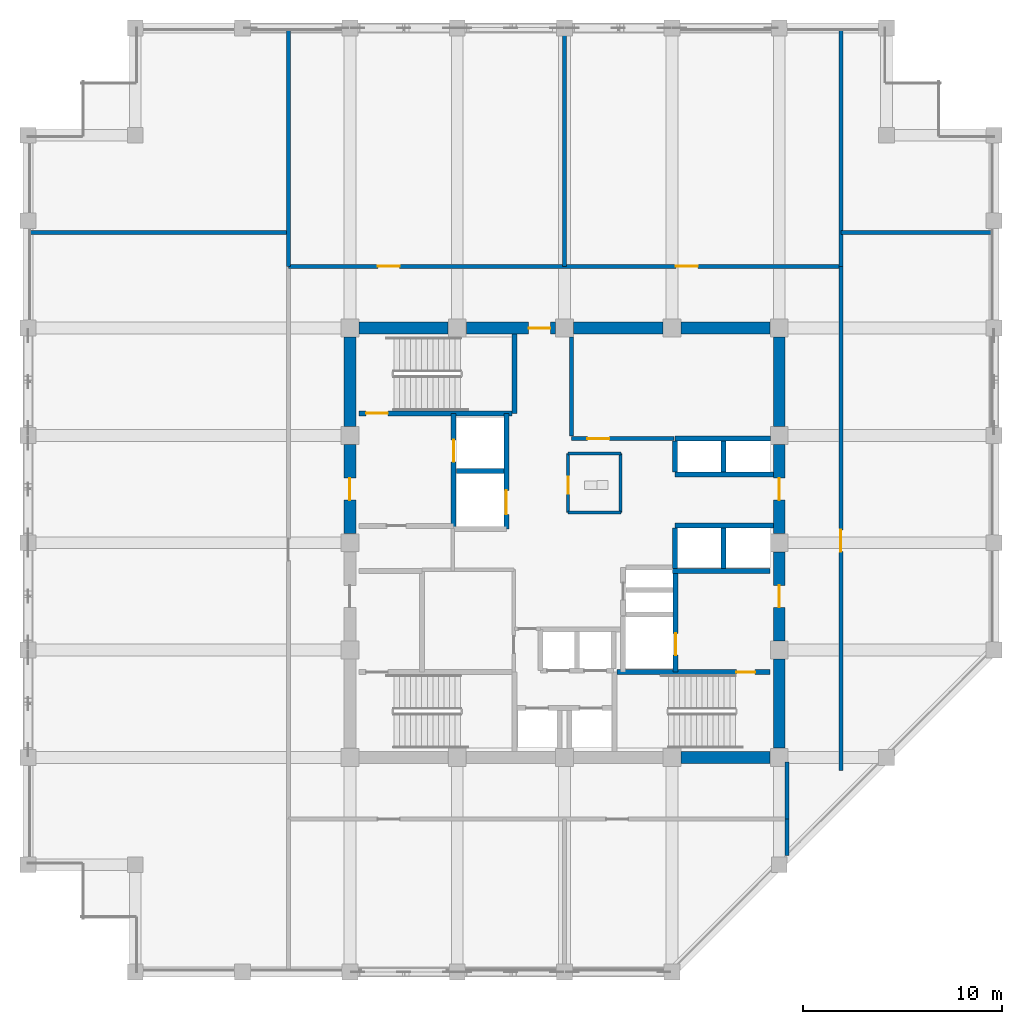
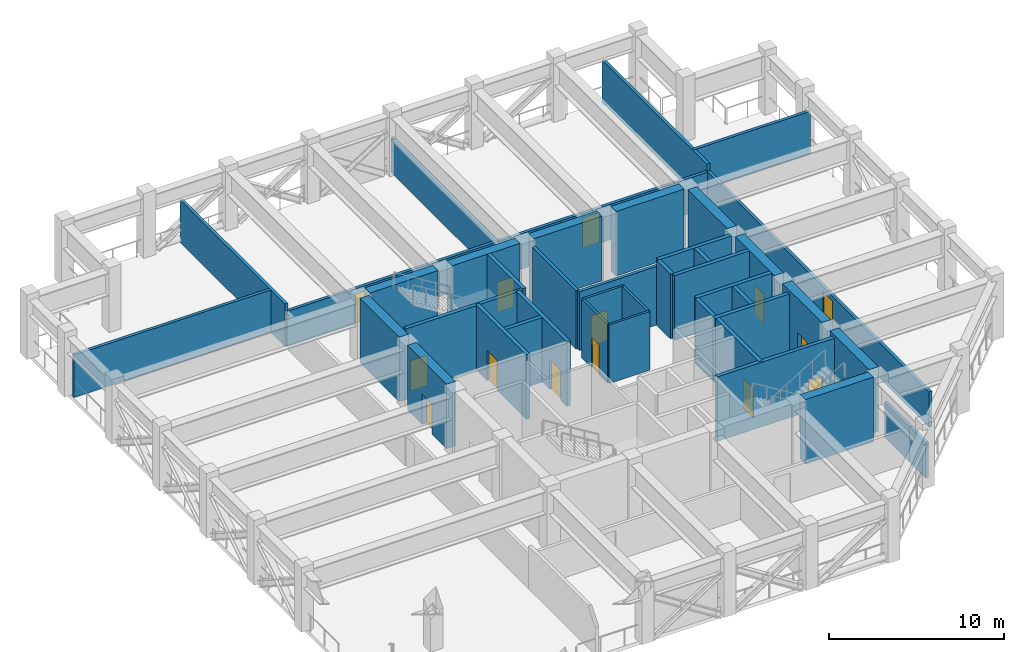
# One storey, part 5 of 11: 41 walls, 14 doors, 14 openings.
"""IFC4 building model written with IfcOpenShell, lengths in metres."""

from ifc_helpers import new_model, si_unit, direction, frame, frame_2d, origin, place, context, subcontext, project, spatial, rectangle, extrude, material, layer, layer_set, type_object, element, fill, save


model = new_model("IFC4")

# Units and contexts
model_context = context("Model", 3, precision=1e-05, world=origin(), true_north=direction((0.0, 1.0)))
body_context = subcontext(model_context, "Body", "Model", "MODEL_VIEW")
ifc_project = project(units=[si_unit("LENGTHUNIT", "METRE"), si_unit("AREAUNIT", "SQUARE_METRE"), si_unit("VOLUMEUNIT", "CUBIC_METRE"), si_unit("PLANEANGLEUNIT", "RADIAN"), si_unit("MASSUNIT", "GRAM", prefix="KILO")], contexts=[model_context])

# Site, building, storey
site_placement = place(None, origin())
site = spatial("IfcSite", under=ifc_project, at=site_placement, CompositionType="ELEMENT")
building_placement = place(site_placement, origin())
building = spatial("IfcBuilding", under=site, at=building_placement, Name="Surkhivell Harbour Commons", CompositionType="ELEMENT")
storey_placement = place(building_placement, frame((0.0, 0.0, 254.25)))
storey = spatial("IfcBuildingStorey", under=building, at=storey_placement, Name="L66", CompositionType="ELEMENT", Elevation=254.25)

# Walls
ifc_material_1 = material(Name="Concrete C60/75", Category="concrete")
ifc_layer_1 = layer(ifc_material_1, 0.60009765625)
ifc_layer_set_1 = layer_set([ifc_layer_1], Name="Concrete C60/75")
wall_type_1 = type_object("IfcWallType", Name="WAL-CORE-600", PredefinedType="SHEAR", material=ifc_layer_set_1)
for number, where, z_axis, x_axis, name in (
    (1, (-10.340087890625, 10.800048828125, 0.0), (0.0, 0.0, 1.0), (1.0, 0.0, 0.0), "L66 Core Shear Wall North 1"),
    (2, (10.800048828125, -10.340087890625, 0.0), (0.0, 0.0, 1.0), (0.0, 1.0, 0.0), "L66 Core Shear Wall East 1"),
):
    element("IfcWall", number, at=place(storey_placement, frame(where, z_axis=z_axis, x_axis=x_axis)), inside=storey, type_object=wall_type_1, Name=name, PredefinedType="SHEAR", context=body_context, shape_type="SweptSolid", body=[
        extrude(rectangle(XDim=4.47998046875, YDim=0.60009765625, at=frame_2d((2.239990234375, 0.0))), origin(), (0.0, 0.0, 1.0), 4.5),
    ])

# Wall, opening, door
wall_1_placement = place(storey_placement, frame((-4.93994140625, 10.800048828125, 0.0), z_axis=(0.0, 0.0, 1.0), x_axis=(1.0, 0.0, 0.0)))
wall_1 = element("IfcWall", 3, at=wall_1_placement, inside=storey, type_object=wall_type_1, Name="L66 Core Shear Wall North 2", PredefinedType="SHEAR", context=body_context, shape_type="SweptSolid", body=[
    extrude(rectangle(XDim=4.47998046875, YDim=0.60009765625, at=frame_2d((2.239990234375, 0.0))), origin(), (0.0, 0.0, 1.0), 4.5),
])
opening_1_placement = place(wall_1_placement, frame((3.1298828125, 0.0, 0.0)))
opening_1 = element("IfcOpeningElement", 4, at=opening_1_placement, cuts=wall_1, Name="Opening ID-2", PredefinedType="OPENING", context=body_context, shape_type="SweptSolid", body=[
    extrude(rectangle(XDim=1.10009765625, YDim=2.10009765625, at=frame_2d((0.550048828125, 1.050048828125))), frame((0.0, 0.31005859375, 0.0), z_axis=(0.0, -1.0, 0.0), x_axis=(1.0, 0.0, 0.0)), (0.0, 0.0, 1.0), 0.6201171875),
])
ifc_material_2 = material(Name="Hardwood-veneered fire-rated door leaf", Category="wood")
door_type_1 = type_object("IfcDoorType", Name="DOR-FD60-1100", OperationType="NOTDEFINED", PredefinedType="DOOR", material=ifc_material_2)
door_1_placement = place(opening_1_placement, origin())
door_1 = element("IfcDoor", 5, at=door_1_placement, inside=storey, type_object=door_type_1, Name="L66 Central Core Lift Hall North Corridor Door", OperationType="SINGLE_SWING_LEFT", OverallHeight=2.10009765625, OverallWidth=1.10009765625, PredefinedType="DOOR", context=body_context, shape_type="SweptSolid", body=[
    extrude(rectangle(XDim=1.10009765625, YDim=2.10009765625, at=frame_2d((0.550048828125, 1.050048828125))), frame((0.0, 0.02490234375, 0.0), z_axis=(0.0, -1.0, 0.0), x_axis=(1.0, 0.0, 0.0)), (0.0, 0.0, 1.0), 0.050048828125),
])
fill(opening_1, door_1)

wall_2_placement = place(storey_placement, frame((10.800048828125, -4.93994140625, 0.0), z_axis=(0.0, 0.0, 1.0), x_axis=(0.0, 1.0, 0.0)))
wall_2 = element("IfcWall", 6, at=wall_2_placement, inside=storey, type_object=wall_type_1, Name="L66 Core Shear Wall East 2", PredefinedType="SHEAR", context=body_context, shape_type="SweptSolid", body=[
    extrude(rectangle(XDim=4.47998046875, YDim=0.60009765625, at=frame_2d((2.239990234375, 0.0))), origin(), (0.0, 0.0, 1.0), 4.5),
])
opening_2_placement = place(wall_2_placement, frame((1.68994140625, 0.0, 0.0)))
opening_2 = element("IfcOpeningElement", 7, at=opening_2_placement, cuts=wall_2, Name="Opening ID-1", PredefinedType="OPENING", context=body_context, shape_type="SweptSolid", body=[
    extrude(rectangle(XDim=1.10009765625, YDim=2.10009765625, at=frame_2d((0.550048828125, 1.050048828125))), frame((0.0, 0.31005859375, 0.0), z_axis=(0.0, -1.0, 0.0), x_axis=(1.0, 0.0, 0.0)), (0.0, 0.0, 1.0), 0.6201171875),
])
door_type_2 = type_object("IfcDoorType", Name="DOR-FD120-1100", OperationType="NOTDEFINED", PredefinedType="DOOR", material=ifc_material_2)
door_2_placement = place(opening_2_placement, origin())
door_2 = element("IfcDoor", 8, at=door_2_placement, inside=storey, type_object=door_type_2, Name="L66 Firefighting Lobby 2 Corridor Door", OperationType="SINGLE_SWING_RIGHT", OverallHeight=2.10009765625, OverallWidth=1.10009765625, PredefinedType="DOOR", context=body_context, shape_type="SweptSolid", body=[
    extrude(rectangle(XDim=1.10009765625, YDim=2.10009765625, at=frame_2d((0.550048828125, 1.050048828125))), frame((0.0, 0.02490234375, 0.0), z_axis=(0.0, -1.0, 0.0), x_axis=(1.0, 0.0, 0.0)), (0.0, 0.0, 1.0), 0.050048828125),
])
fill(opening_2, door_2)

# Wall
wall_3_placement = place(storey_placement, frame((0.4599609375, 10.800048828125, 0.0), z_axis=(0.0, 0.0, 1.0), x_axis=(1.0, 0.0, 0.0)))
element("IfcWall", 9, at=wall_3_placement, inside=storey, type_object=wall_type_1, Name="L66 Core Shear Wall North 3", PredefinedType="SHEAR", context=body_context, shape_type="SweptSolid", body=[
    extrude(rectangle(XDim=4.47998046875, YDim=0.60009765625, at=frame_2d((2.239990234375, 0.0))), origin(), (0.0, 0.0, 1.0), 4.5),
])

# Wall, opening, door
wall_4_placement = place(storey_placement, frame((-10.800048828125, 0.4599609375, 0.0), z_axis=(0.0, 0.0, 1.0), x_axis=(0.0, 1.0, 0.0)))
wall_4 = element("IfcWall", 10, at=wall_4_placement, inside=storey, type_object=wall_type_1, Name="L66 Core Shear Wall West 3", PredefinedType="SHEAR", context=body_context, shape_type="SweptSolid", body=[
    extrude(rectangle(XDim=4.47998046875, YDim=0.60009765625, at=frame_2d((2.239990234375, 0.0))), origin(), (0.0, 0.0, 1.0), 4.5),
])
opening_3_placement = place(wall_4_placement, frame((1.68994140625, 0.0, 0.0)))
opening_3 = element("IfcOpeningElement", 11, at=opening_3_placement, cuts=wall_4, Name="Opening ID-1", PredefinedType="OPENING", context=body_context, shape_type="SweptSolid", body=[
    extrude(rectangle(XDim=1.10009765625, YDim=2.10009765625, at=frame_2d((0.550048828125, 1.050048828125))), frame((0.0, 0.31005859375, 0.0), z_axis=(0.0, -1.0, 0.0), x_axis=(1.0, 0.0, 0.0)), (0.0, 0.0, 1.0), 0.6201171875),
])
door_3_placement = place(opening_3_placement, origin())
door_3 = element("IfcDoor", 12, at=door_3_placement, inside=storey, type_object=door_type_2, Name="L66 Firefighting Lobby 1 Corridor Door", OperationType="SINGLE_SWING_LEFT", OverallHeight=2.10009765625, OverallWidth=1.10009765625, PredefinedType="DOOR", context=body_context, shape_type="SweptSolid", body=[
    extrude(rectangle(XDim=1.10009765625, YDim=2.10009765625, at=frame_2d((0.550048828125, 1.050048828125))), frame((0.0, 0.02490234375, 0.0), z_axis=(0.0, -1.0, 0.0), x_axis=(1.0, 0.0, 0.0)), (0.0, 0.0, 1.0), 0.050048828125),
])
fill(opening_3, door_3)

wall_5_placement = place(storey_placement, frame((10.800048828125, 0.4599609375, 0.0), z_axis=(0.0, 0.0, 1.0), x_axis=(0.0, 1.0, 0.0)))
wall_5 = element("IfcWall", 13, at=wall_5_placement, inside=storey, type_object=wall_type_1, Name="L66 Core Shear Wall East 3", PredefinedType="SHEAR", context=body_context, shape_type="SweptSolid", body=[
    extrude(rectangle(XDim=4.47998046875, YDim=0.60009765625, at=frame_2d((2.239990234375, 0.0))), origin(), (0.0, 0.0, 1.0), 4.5),
])
opening_4_placement = place(wall_5_placement, frame((1.68994140625, 0.0, 0.0)))
opening_4 = element("IfcOpeningElement", 14, at=opening_4_placement, cuts=wall_5, Name="Opening ID-2", PredefinedType="OPENING", context=body_context, shape_type="SweptSolid", body=[
    extrude(rectangle(XDim=1.10009765625, YDim=2.10009765625, at=frame_2d((0.550048828125, 1.050048828125))), frame((0.0, 0.31005859375, 0.0), z_axis=(0.0, -1.0, 0.0), x_axis=(1.0, 0.0, 0.0)), (0.0, 0.0, 1.0), 0.6201171875),
])
door_4_placement = place(opening_4_placement, origin())
door_4 = element("IfcDoor", 15, at=door_4_placement, inside=storey, type_object=door_type_1, Name="L66 Mid-Rise Lobby East Door", OperationType="SINGLE_SWING_LEFT", OverallHeight=2.10009765625, OverallWidth=1.10009765625, PredefinedType="DOOR", context=body_context, shape_type="SweptSolid", body=[
    extrude(rectangle(XDim=1.10009765625, YDim=2.10009765625, at=frame_2d((0.550048828125, 1.050048828125))), frame((0.0, 0.02490234375, 0.0), z_axis=(0.0, -1.0, 0.0), x_axis=(1.0, 0.0, 0.0)), (0.0, 0.0, 1.0), 0.050048828125),
])
fill(opening_4, door_4)

# Walls
for number, where, z_axis, x_axis, name in (
    (16, (5.860107421875, -10.800048828125, 0.0), (0.0, 0.0, 1.0), (1.0, 0.0, 0.0), "L66 Core Shear Wall South 4"),
    (17, (5.860107421875, 10.800048828125, 0.0), (0.0, 0.0, 1.0), (1.0, 0.0, 0.0), "L66 Core Shear Wall North 4"),
    (18, (-10.800048828125, 5.860107421875, 0.0), (0.0, 0.0, 1.0), (0.0, 1.0, 0.0), "L66 Core Shear Wall West 4"),
    (19, (10.800048828125, 5.860107421875, 0.0), (0.0, 0.0, 1.0), (0.0, 1.0, 0.0), "L66 Core Shear Wall East 4"),
):
    element("IfcWall", number, at=place(storey_placement, frame(where, z_axis=z_axis, x_axis=x_axis)), inside=storey, type_object=wall_type_1, Name=name, PredefinedType="SHEAR", context=body_context, shape_type="SweptSolid", body=[
        extrude(rectangle(XDim=4.47998046875, YDim=0.60009765625, at=frame_2d((2.239990234375, 0.0))), origin(), (0.0, 0.0, 1.0), 4.5),
    ])
ifc_material_3 = material(Name="Twin-stud acoustic fireboard partition", Category="other")
ifc_layer_2 = layer(ifc_material_3, 0.14990234375)
ifc_layer_set_2 = layer_set([ifc_layer_2], Name="Twin-stud acoustic fireboard partition")
wall_type_2 = type_object("IfcWallType", Name="WAL-INT-150", PredefinedType="PARTITIONING", material=ifc_layer_set_2)
wall_6_placement = place(storey_placement, frame((2.820068359375, 1.52001953125, 0.0), z_axis=(0.0, 0.0, 1.0), x_axis=(0.0, 1.0, 0.0)))
element("IfcWall", 20, at=wall_6_placement, inside=storey, type_object=wall_type_2, Name="L66 Core Accessible WC East Wall", PredefinedType="PARTITIONING", context=body_context, shape_type="SweptSolid", body=[
    extrude(rectangle(XDim=2.9599609375, YDim=0.14990234375, at=frame_2d((1.47998046875, 0.0))), origin(), (0.0, 0.0, 1.0), 4.080078125),
])
for number, where, z_axis, x_axis, name in (
    (21, (0.179931640625, 4.47998046875, 0.0), (0.0, 0.0, 1.0), (1.0, 0.0, 0.0), "L66 Core Accessible WC North Wall"),
    (22, (0.179931640625, 1.52001953125, 0.0), (0.0, 0.0, 1.0), (1.0, 0.0, 0.0), "L66 Core Accessible WC South Wall"),
):
    element("IfcWall", number, at=place(storey_placement, frame(where, z_axis=z_axis, x_axis=x_axis)), inside=storey, type_object=wall_type_2, Name=name, PredefinedType="PARTITIONING", context=body_context, shape_type="SweptSolid", body=[
        extrude(rectangle(XDim=2.670166015625, YDim=0.14990234375, at=frame_2d((1.3349609375, 0.0))), origin(), (0.0, 0.0, 1.0), 4.080078125),
    ])

# Wall, opening, door
wall_7_placement = place(storey_placement, frame((0.179931640625, 1.52001953125, 0.0), z_axis=(0.0, 0.0, 1.0), x_axis=(0.0, 1.0, 0.0)))
wall_7 = element("IfcWall", 23, at=wall_7_placement, inside=storey, type_object=wall_type_2, Name="L66 Core Accessible WC West Wall", PredefinedType="PARTITIONING", context=body_context, shape_type="SweptSolid", body=[
    extrude(rectangle(XDim=2.9599609375, YDim=0.14990234375, at=frame_2d((1.47998046875, 0.0))), origin(), (0.0, 0.0, 1.0), 4.080078125),
])
opening_5_placement = place(wall_7_placement, frame((0.949951171875, 0.0, 0.0)))
opening_5 = element("IfcOpeningElement", 24, at=opening_5_placement, cuts=wall_7, Name="Opening ID-6", PredefinedType="OPENING", context=body_context, shape_type="SweptSolid", body=[
    extrude(rectangle(XDim=0.85009765625, YDim=2.10009765625, at=frame_2d((0.425048828125, 1.050048828125))), frame((0.0, 0.0849609375, 0.0), z_axis=(0.0, -1.0, 0.0), x_axis=(1.0, 0.0, 0.0)), (0.0, 0.0, 1.0), 0.169921875),
])
door_type_3 = type_object("IfcDoorType", Name="DOR-FD30-850", OperationType="NOTDEFINED", PredefinedType="DOOR", material=ifc_material_2)
door_5_placement = place(opening_5_placement, origin())
door_5 = element("IfcDoor", 25, at=door_5_placement, inside=storey, type_object=door_type_3, Name="L66 Floor Accessible WC Door", OperationType="SINGLE_SWING_RIGHT", OverallHeight=2.10009765625, OverallWidth=0.85009765625, PredefinedType="DOOR", context=body_context, shape_type="SweptSolid", body=[
    extrude(rectangle(XDim=0.85009765625, YDim=2.10009765625, at=frame_2d((0.425048828125, 1.050048828125))), frame((0.0, 0.02490234375, 0.0), z_axis=(0.0, -1.0, 0.0), x_axis=(1.0, 0.0, 0.0)), (0.0, 0.0, 1.0), 0.050048828125),
])
fill(opening_5, door_5)

ifc_material_4 = material(Name="Autoclaved aerated concrete blockwork and fire plaster", Category="masonry")
ifc_layer_3 = layer(ifc_material_4, 0.199951171875)
ifc_layer_set_3 = layer_set([ifc_layer_3], Name="Autoclaved aerated concrete blockwork and fire plaster")
wall_type_3 = type_object("IfcWallType", Name="WAL-INT-200", PredefinedType="PARTITIONING", material=ifc_layer_set_3)
wall_8_placement = place(storey_placement, frame((0.35009765625, 5.239990234375, 0.0), z_axis=(0.0, 0.0, 1.0), x_axis=(1.0, 0.0, 0.0)))
wall_8 = element("IfcWall", 26, at=wall_8_placement, inside=storey, type_object=wall_type_3, Name="L66 Reclaimed Core North Bay South Wall", PredefinedType="PARTITIONING", context=body_context, shape_type="SweptSolid", body=[
    extrude(rectangle(XDim=5.14990234375, YDim=0.199951171875, at=frame_2d((2.574951171875, 0.0))), origin(), (0.0, 0.0, 1.0), 4.080078125),
])
opening_6_placement = place(wall_8_placement, frame((0.800048828125, 0.0, 0.0)))
opening_6 = element("IfcOpeningElement", 27, at=opening_6_placement, cuts=wall_8, Name="Opening ID-2", PredefinedType="OPENING", context=body_context, shape_type="SweptSolid", body=[
    extrude(rectangle(XDim=1.10009765625, YDim=2.10009765625, at=frame_2d((0.550048828125, 1.050048828125))), frame((0.0, 0.10986328125, 0.0), z_axis=(0.0, -1.0, 0.0), x_axis=(1.0, 0.0, 0.0)), (0.0, 0.0, 1.0), 0.219970703125),
])
door_6_placement = place(opening_6_placement, origin())
door_6 = element("IfcDoor", 28, at=door_6_placement, inside=storey, type_object=door_type_1, Name="L66 Core Fan Room Door", OperationType="SINGLE_SWING_LEFT", OverallHeight=2.10009765625, OverallWidth=1.10009765625, PredefinedType="DOOR", context=body_context, shape_type="SweptSolid", body=[
    extrude(rectangle(XDim=1.10009765625, YDim=2.10009765625, at=frame_2d((0.550048828125, 1.050048828125))), frame((0.0, 0.02490234375, 0.0), z_axis=(0.0, -1.0, 0.0), x_axis=(1.0, 0.0, 0.0)), (0.0, 0.0, 1.0), 0.050048828125),
])
fill(opening_6, door_6)

# Walls
wall_9_placement = place(storey_placement, frame((0.35009765625, 5.360107421875, 0.0), z_axis=(0.0, 0.0, 1.0), x_axis=(0.0, 1.0, 0.0)))
element("IfcWall", 29, at=wall_9_placement, inside=storey, type_object=wall_type_3, Name="L66 Reclaimed Core North Bay West Wall", PredefinedType="PARTITIONING", context=body_context, shape_type="SweptSolid", body=[
    extrude(rectangle(XDim=4.97998046875, YDim=0.199951171875, at=frame_2d((2.489990234375, 0.0))), origin(), (0.0, 0.0, 1.0), 4.080078125),
])
wall_10_placement = place(storey_placement, frame((0.0, 13.89990234375, 0.0), z_axis=(0.0, 0.0, 1.0), x_axis=(0.0, 1.0, 0.0)))
element("IfcWall", 30, at=wall_10_placement, inside=storey, type_object=wall_type_3, Name="L66 Refuge North Plant Divider", PredefinedType="PARTITIONING", context=body_context, shape_type="SweptSolid", body=[
    extrude(rectangle(XDim=11.960205078125, YDim=0.199951171875, at=frame_2d((5.97998046875, 0.0))), origin(), (0.0, 0.0, 1.0), 2.4599609375),
])
wall_11_placement = place(storey_placement, frame((13.89990234375, 15.60009765625, 0.0), z_axis=(0.0, 0.0, 1.0), x_axis=(1.0, 0.0, 0.0)))
element("IfcWall", 31, at=wall_11_placement, inside=storey, type_object=wall_type_3, Name="L66 East Refuge North Casing Wall", PredefinedType="PARTITIONING", context=body_context, shape_type="SweptSolid", body=[
    extrude(rectangle(XDim=7.66015625, YDim=0.199951171875, at=frame_2d((3.830078125, 0.0))), origin(), (0.0, 0.0, 1.0), 2.9599609375),
])
wall_12_placement = place(storey_placement, frame((-26.9599609375, 15.60009765625, 0.0), z_axis=(0.0, 0.0, 1.0), x_axis=(1.0, 0.0, 0.0)))
element("IfcWall", 32, at=wall_12_placement, inside=storey, type_object=wall_type_3, Name="L66 West Refuge North Casing Wall", PredefinedType="PARTITIONING", context=body_context, shape_type="SweptSolid", body=[
    extrude(rectangle(XDim=13.06005859375, YDim=0.199951171875, at=frame_2d((6.530029296875, 0.0))), origin(), (0.0, 0.0, 1.0), 2.9599609375),
])

# Wall, opening, door
wall_13_placement = place(storey_placement, frame((13.89990234375, -11.449951171875, 0.0), z_axis=(0.0, 0.0, 1.0), x_axis=(0.0, 1.0, 0.0)))
wall_13 = element("IfcWall", 33, at=wall_13_placement, inside=storey, type_object=wall_type_3, Name="L66 Corridor East Wall", PredefinedType="PARTITIONING", context=body_context, shape_type="SweptSolid", body=[
    extrude(rectangle(XDim=25.349853515625, YDim=0.199951171875, at=frame_2d((12.6748046875, 0.0))), origin(), (0.0, 0.0, 1.0), 2.4599609375),
])
opening_7_placement = place(wall_13_placement, frame((11.0, 0.0, 0.0)))
opening_7 = element("IfcOpeningElement", 34, at=opening_7_placement, cuts=wall_13, Name="Opening ID-2", PredefinedType="OPENING", context=body_context, shape_type="SweptSolid", body=[
    extrude(rectangle(XDim=1.10009765625, YDim=2.10009765625, at=frame_2d((0.550048828125, 1.050048828125))), frame((0.0, 0.10986328125, 0.0), z_axis=(0.0, -1.0, 0.0), x_axis=(1.0, 0.0, 0.0)), (0.0, 0.0, 1.0), 0.219970703125),
])
door_7_placement = place(opening_7_placement, origin())
door_7 = element("IfcDoor", 35, at=door_7_placement, inside=storey, type_object=door_type_1, Name="L66 East Harbour Open Refuge Area Door", OperationType="SINGLE_SWING_LEFT", OverallHeight=2.10009765625, OverallWidth=1.10009765625, PredefinedType="DOOR", context=body_context, shape_type="SweptSolid", body=[
    extrude(rectangle(XDim=1.10009765625, YDim=2.10009765625, at=frame_2d((0.550048828125, 1.050048828125))), frame((0.0, 0.02490234375, 0.0), z_axis=(0.0, -1.0, 0.0), x_axis=(1.0, 0.0, 0.0)), (0.0, 0.0, 1.0), 0.050048828125),
])
fill(opening_7, door_7)

# Wall, openings, doors
wall_14_placement = place(storey_placement, frame((-13.89990234375, 13.89990234375, 0.0), z_axis=(0.0, 0.0, 1.0), x_axis=(1.0, 0.0, 0.0)))
wall_14 = element("IfcWall", 36, at=wall_14_placement, inside=storey, type_object=wall_type_3, Name="L66 Corridor North Wall", PredefinedType="PARTITIONING", context=body_context, shape_type="SweptSolid", body=[
    extrude(rectangle(XDim=27.7998046875, YDim=0.199951171875, at=frame_2d((13.89990234375, 0.0))), origin(), (0.0, 0.0, 1.0), 2.4599609375),
])
opening_8_placement = place(wall_14_placement, frame((4.5, 0.0, 0.0)))
opening_8 = element("IfcOpeningElement", 37, at=opening_8_placement, cuts=wall_14, Name="Opening ID-2", PredefinedType="OPENING", context=body_context, shape_type="SweptSolid", body=[
    extrude(rectangle(XDim=1.10009765625, YDim=2.10009765625, at=frame_2d((0.550048828125, 1.050048828125))), frame((0.0, 0.10986328125, 0.0), z_axis=(0.0, -1.0, 0.0), x_axis=(1.0, 0.0, 0.0)), (0.0, 0.0, 1.0), 0.219970703125),
])
opening_9_placement = place(wall_14_placement, frame((19.5, 0.0, 0.0)))
opening_9 = element("IfcOpeningElement", 38, at=opening_9_placement, cuts=wall_14, Name="Opening ID-2", PredefinedType="OPENING", context=body_context, shape_type="SweptSolid", body=[
    extrude(rectangle(XDim=1.10009765625, YDim=2.10009765625, at=frame_2d((0.550048828125, 1.050048828125))), frame((0.0, 0.10986328125, 0.0), z_axis=(0.0, -1.0, 0.0), x_axis=(1.0, 0.0, 0.0)), (0.0, 0.0, 1.0), 0.219970703125),
])
door_8_placement = place(opening_8_placement, origin())
door_8 = element("IfcDoor", 39, at=door_8_placement, inside=storey, type_object=door_type_1, Name="L66 Zone Air Handling Mechanical Plant Door", OperationType="SINGLE_SWING_RIGHT", OverallHeight=2.10009765625, OverallWidth=1.10009765625, PredefinedType="DOOR", context=body_context, shape_type="SweptSolid", body=[
    extrude(rectangle(XDim=1.10009765625, YDim=2.10009765625, at=frame_2d((0.550048828125, 1.050048828125))), frame((0.0, 0.02490234375, 0.0), z_axis=(0.0, -1.0, 0.0), x_axis=(1.0, 0.0, 0.0)), (0.0, 0.0, 1.0), 0.050048828125),
])
fill(opening_8, door_8)
door_9_placement = place(opening_9_placement, origin())
door_9 = element("IfcDoor", 40, at=door_9_placement, inside=storey, type_object=door_type_1, Name="L66 Intermediate Heat-Exchanger Chiller Plant Door", OperationType="SINGLE_SWING_LEFT", OverallHeight=2.10009765625, OverallWidth=1.10009765625, PredefinedType="DOOR", context=body_context, shape_type="SweptSolid", body=[
    extrude(rectangle(XDim=1.10009765625, YDim=2.10009765625, at=frame_2d((0.550048828125, 1.050048828125))), frame((0.0, 0.02490234375, 0.0), z_axis=(0.0, -1.0, 0.0), x_axis=(1.0, 0.0, 0.0)), (0.0, 0.0, 1.0), 0.050048828125),
])
fill(opening_9, door_9)

# Walls
for number, where, z_axis, x_axis, name in (
    (41, (13.89990234375, 13.89990234375, 0.0), (0.0, 0.0, 1.0), (0.0, 1.0, 0.0), "L66 Corner NE Divider"),
    (42, (-13.89990234375, 13.89990234375, 0.0), (0.0, 0.0, 1.0), (0.0, 1.0, 0.0), "L66 Corner NW Divider"),
):
    element("IfcWall", number, at=place(storey_placement, frame(where, z_axis=z_axis, x_axis=x_axis)), inside=storey, type_object=wall_type_3, Name=name, PredefinedType="PARTITIONING", context=body_context, shape_type="SweptSolid", body=[
        extrude(rectangle(XDim=11.960205078125, YDim=0.199951171875, at=frame_2d((5.97998046875, 0.0))), origin(), (0.0, 0.0, 1.0), 2.9599609375),
    ])
wall_15_placement = place(storey_placement, frame((11.199951171875, -15.743408203125, 0.0), z_axis=(0.0, 0.0, 1.0), x_axis=(0.0, 1.0, 0.0)))
element("IfcWall", 43, at=wall_15_placement, inside=storey, type_object=wall_type_3, Name="L66 Corner SE Divider", PredefinedType="PARTITIONING", context=body_context, shape_type="SweptSolid", body=[
    extrude(rectangle(XDim=1.843505859375, YDim=0.199951171875, at=frame_2d((0.921875, 0.0))), origin(), (0.0, 0.0, 1.0), 2.4599609375),
])
wall_16_placement = place(storey_placement, frame((11.199951171875, -13.89990234375, 0.0), z_axis=(0.0, 0.0, 1.0), x_axis=(0.0, 1.0, 0.0)))
element("IfcWall", 44, at=wall_16_placement, inside=storey, type_object=wall_type_3, Name="L66 Corridor SE Closure Wall", PredefinedType="PARTITIONING", context=body_context, shape_type="SweptSolid", body=[
    extrude(rectangle(XDim=2.85986328125, YDim=0.199951171875, at=frame_2d((1.429931640625, 0.0))), origin(), (0.0, 0.0, 1.0), 2.4599609375),
])

# Wall, opening, door
ifc_material_5 = material(Name="Concrete C50/60", Category="concrete")
ifc_layer_4 = layer(ifc_material_5, 0.25)
ifc_layer_set_4 = layer_set([ifc_layer_4], Name="Concrete C50/60")
wall_type_4 = type_object("IfcWallType", Name="WAL-SHAFT-250", PredefinedType="SHEAR", material=ifc_layer_set_4)
wall_17_placement = place(storey_placement, frame((-5.580078125, 0.719970703125, 0.0), z_axis=(0.0, 0.0, 1.0), x_axis=(0.0, 1.0, 0.0)))
wall_17 = element("IfcWall", 45, at=wall_17_placement, inside=storey, type_object=wall_type_4, Name="L66 Firefighting Lobby 1 East Shaft Wall", PredefinedType="SHEAR", context=body_context, shape_type="SweptSolid", body=[
    extrude(rectangle(XDim=5.7900390625, YDim=0.25, at=frame_2d((2.89501953125, 0.0))), origin(), (0.0, 0.0, 1.0), 4.5),
])
opening_10_placement = place(wall_17_placement, frame((3.35009765625, 0.0, 0.0)))
opening_10 = element("IfcOpeningElement", 46, at=opening_10_placement, cuts=wall_17, Name="Opening LD-1", PredefinedType="OPENING", context=body_context, shape_type="SweptSolid", body=[
    extrude(rectangle(XDim=1.10009765625, YDim=2.10009765625, at=frame_2d((0.550048828125, 1.050048828125))), frame((0.0, 0.135009765625, 0.0), z_axis=(0.0, -1.0, 0.0), x_axis=(1.0, 0.0, 0.0)), (0.0, 0.0, 1.0), 0.27001953125),
])
ifc_material_6 = material(Name="Brushed stainless steel S355", Category="steel")
door_type_4 = type_object("IfcDoorType", Name="DOR-LD-1100", OperationType="SLIDING_TO_LEFT", PredefinedType="DOOR", material=ifc_material_6)
door_10_placement = place(opening_10_placement, origin())
door_10 = element("IfcDoor", 47, at=door_10_placement, inside=storey, type_object=door_type_4, Name="L66 Lift Landing Door LD-FFL1", OperationType="SLIDING_TO_LEFT", OverallHeight=2.10009765625, OverallWidth=1.10009765625, PredefinedType="DOOR", context=body_context, shape_type="SweptSolid", body=[
    extrude(rectangle(XDim=1.10009765625, YDim=2.10009765625, at=frame_2d((0.550048828125, 1.050048828125))), frame((0.0, 0.02490234375, 0.0), z_axis=(0.0, -1.0, 0.0), x_axis=(1.0, 0.0, 0.0)), (0.0, 0.0, 1.0), 0.050048828125),
])
fill(opening_10, door_10)

# Wall
wall_18_placement = place(storey_placement, frame((5.43994140625, -1.419921875, 0.0), z_axis=(0.0, 0.0, 1.0), x_axis=(1.0, 0.0, 0.0)))
element("IfcWall", 48, at=wall_18_placement, inside=storey, type_object=wall_type_4, Name="L66 Firefighting Lobby 2 North Wall", PredefinedType="SHEAR", context=body_context, shape_type="SweptSolid", body=[
    extrude(rectangle(XDim=4.900146484375, YDim=0.25, at=frame_2d((2.4501953125, 0.0))), origin(), (0.0, 0.0, 1.0), 4.5),
])

# Wall, opening, door
wall_19_placement = place(storey_placement, frame((5.580078125, -6.510009765625, 0.0), z_axis=(0.0, 0.0, 1.0), x_axis=(0.0, 1.0, 0.0)))
wall_19 = element("IfcWall", 49, at=wall_19_placement, inside=storey, type_object=wall_type_4, Name="L66 Firefighting Lobby 2 West Shaft Wall", PredefinedType="SHEAR", context=body_context, shape_type="SweptSolid", body=[
    extrude(rectangle(XDim=5.090087890625, YDim=0.25, at=frame_2d((2.544921875, 0.0))), origin(), (0.0, 0.0, 1.0), 4.5),
])
opening_11_placement = place(wall_19_placement, frame((0.85009765625, 0.0, 0.0)))
opening_11 = element("IfcOpeningElement", 50, at=opening_11_placement, cuts=wall_19, Name="Opening LD-1", PredefinedType="OPENING", context=body_context, shape_type="SweptSolid", body=[
    extrude(rectangle(XDim=1.10009765625, YDim=2.10009765625, at=frame_2d((0.550048828125, 1.050048828125))), frame((0.0, 0.135009765625, 0.0), z_axis=(0.0, -1.0, 0.0), x_axis=(1.0, 0.0, 0.0)), (0.0, 0.0, 1.0), 0.27001953125),
])
door_11_placement = place(opening_11_placement, origin())
door_11 = element("IfcDoor", 51, at=door_11_placement, inside=storey, type_object=door_type_4, Name="L66 Lift Landing Door LD-FFL2", OperationType="SLIDING_TO_RIGHT", OverallHeight=2.10009765625, OverallWidth=1.10009765625, PredefinedType="DOOR", context=body_context, shape_type="SweptSolid", body=[
    extrude(rectangle(XDim=1.10009765625, YDim=2.10009765625, at=frame_2d((0.550048828125, 1.050048828125))), frame((0.0, 0.02490234375, 0.0), z_axis=(0.0, -1.0, 0.0), x_axis=(1.0, 0.0, 0.0)), (0.0, 0.0, 1.0), 0.050048828125),
])
fill(opening_11, door_11)

# Walls
for number, where, z_axis, x_axis, name in (
    (52, (5.550048828125, 3.550048828125, 0.0), (0.0, 0.0, 1.0), (0.0, 1.0, 0.0), "L66 Mid-Rise Shaft Side Wall N"),
    (53, (8.0, 3.550048828125, 0.0), (0.0, 0.0, 1.0), (0.0, 1.0, 0.0), "L66 Mid-Rise Shaft Side Wall N"),
):
    element("IfcWall", number, at=place(storey_placement, frame(where, z_axis=z_axis, x_axis=x_axis)), inside=storey, type_object=wall_type_4, Name=name, PredefinedType="SHEAR", context=body_context, shape_type="SweptSolid", body=[
        extrude(rectangle(XDim=1.570068359375, YDim=0.25, at=frame_2d((0.78515625, 0.0))), origin(), (0.0, 0.0, 1.0), 4.5),
    ])
for number, where, z_axis, x_axis, name in (
    (54, (5.550048828125, -1.300048828125, 0.0), (0.0, 0.0, 1.0), (0.0, 1.0, 0.0), "L66 Mid-Rise Shaft Side Wall S"),
    (55, (8.0, -1.300048828125, 0.0), (0.0, 0.0, 1.0), (0.0, 1.0, 0.0), "L66 Mid-Rise Shaft Side Wall S"),
):
    element("IfcWall", number, at=place(storey_placement, frame(where, z_axis=z_axis, x_axis=x_axis)), inside=storey, type_object=wall_type_4, Name=name, PredefinedType="SHEAR", context=body_context, shape_type="SweptSolid", body=[
        extrude(rectangle(XDim=2.0400390625, YDim=0.25, at=frame_2d((1.02001953125, 0.0))), origin(), (0.0, 0.0, 1.0), 4.5),
    ])
wall_20_placement = place(storey_placement, frame((5.550048828125, 3.429931640625, 0.0), z_axis=(0.0, 0.0, 1.0), x_axis=(1.0, 0.0, 0.0)))
element("IfcWall", 56, at=wall_20_placement, inside=storey, type_object=wall_type_4, Name="L66 Mid-Rise North Front Shaft Wall", PredefinedType="SHEAR", context=body_context, shape_type="SweptSolid", body=[
    extrude(rectangle(XDim=4.949951171875, YDim=0.25, at=frame_2d((2.47509765625, 0.0))), origin(), (0.0, 0.0, 1.0), 4.5),
])
wall_21_placement = place(storey_placement, frame((5.550048828125, 5.239990234375, 0.0), z_axis=(0.0, 0.0, 1.0), x_axis=(1.0, 0.0, 0.0)))
element("IfcWall", 57, at=wall_21_placement, inside=storey, type_object=wall_type_4, Name="L66 Mid-Rise North Back Shaft Wall", PredefinedType="SHEAR", context=body_context, shape_type="SweptSolid", body=[
    extrude(rectangle(XDim=4.800048828125, YDim=0.25, at=frame_2d((2.39990234375, 0.0))), origin(), (0.0, 0.0, 1.0), 4.5),
])
wall_22_placement = place(storey_placement, frame((5.550048828125, 0.8701171875, 0.0), z_axis=(0.0, 0.0, 1.0), x_axis=(1.0, 0.0, 0.0)))
element("IfcWall", 58, at=wall_22_placement, inside=storey, type_object=wall_type_4, Name="L66 Mid-Rise South Front Shaft Wall", PredefinedType="SHEAR", context=body_context, shape_type="SweptSolid", body=[
    extrude(rectangle(XDim=4.949951171875, YDim=0.25, at=frame_2d((2.47509765625, 0.0))), origin(), (0.0, 0.0, 1.0), 4.5),
])
wall_23_placement = place(storey_placement, frame((-2.510009765625, 6.510009765625, 0.0), z_axis=(0.0, 0.0, 1.0), x_axis=(0.0, 1.0, 0.0)))
element("IfcWall", 59, at=wall_23_placement, inside=storey, type_object=wall_type_4, Name="L66 Stair ST1 East Shear Wall", PredefinedType="SHEAR", context=body_context, shape_type="SweptSolid", body=[
    extrude(rectangle(XDim=3.989990234375, YDim=0.25, at=frame_2d((1.9951171875, 0.0))), origin(), (0.0, 0.0, 1.0), 4.5),
])

# Wall, opening, door
wall_24_placement = place(storey_placement, frame((-10.340087890625, 6.510009765625, 0.0), z_axis=(0.0, 0.0, 1.0), x_axis=(1.0, 0.0, 0.0)))
wall_24 = element("IfcWall", 60, at=wall_24_placement, inside=storey, type_object=wall_type_4, Name="L66 Stair ST1 South Shear Wall", PredefinedType="SHEAR", context=body_context, shape_type="SweptSolid", body=[
    extrude(rectangle(XDim=7.7001953125, YDim=0.25, at=frame_2d((3.85009765625, 0.0))), origin(), (0.0, 0.0, 1.0), 4.5),
])
opening_12_placement = place(wall_24_placement, frame((0.35009765625, 0.0, 0.0)))
opening_12 = element("IfcOpeningElement", 61, at=opening_12_placement, cuts=wall_24, Name="Opening ID-2", PredefinedType="OPENING", context=body_context, shape_type="SweptSolid", body=[
    extrude(rectangle(XDim=1.10009765625, YDim=2.10009765625, at=frame_2d((0.550048828125, 1.050048828125))), frame((0.0, 0.135009765625, 0.0), z_axis=(0.0, -1.0, 0.0), x_axis=(1.0, 0.0, 0.0)), (0.0, 0.0, 1.0), 0.27001953125),
])
door_12_placement = place(opening_12_placement, origin())
door_12 = element("IfcDoor", 62, at=door_12_placement, inside=storey, type_object=door_type_1, Name="L66 Stair ST1 Exit Door", OperationType="SINGLE_SWING_LEFT", OverallHeight=2.10009765625, OverallWidth=1.10009765625, PredefinedType="DOOR", context=body_context, shape_type="SweptSolid", body=[
    extrude(rectangle(XDim=1.10009765625, YDim=2.10009765625, at=frame_2d((0.550048828125, 1.050048828125))), frame((0.0, 0.02490234375, 0.0), z_axis=(0.0, -1.0, 0.0), x_axis=(1.0, 0.0, 0.0)), (0.0, 0.0, 1.0), 0.050048828125),
])
fill(opening_12, door_12)

wall_25_placement = place(storey_placement, frame((2.639892578125, -6.510009765625, 0.0), z_axis=(0.0, 0.0, 1.0), x_axis=(1.0, 0.0, 0.0)))
wall_25 = element("IfcWall", 63, at=wall_25_placement, inside=storey, type_object=wall_type_4, Name="L66 Stair ST2 North Shear Wall", PredefinedType="SHEAR", context=body_context, shape_type="SweptSolid", body=[
    extrude(rectangle(XDim=7.7001953125, YDim=0.25, at=frame_2d((3.85009765625, 0.0))), origin(), (0.0, 0.0, 1.0), 4.5),
])
opening_13_placement = place(wall_25_placement, frame((6.0, 0.0, 0.0)))
opening_13 = element("IfcOpeningElement", 64, at=opening_13_placement, cuts=wall_25, Name="Opening ID-4", PredefinedType="OPENING", context=body_context, shape_type="SweptSolid", body=[
    extrude(rectangle(XDim=0.949951171875, YDim=2.10009765625, at=frame_2d((0.47509765625, 1.050048828125))), frame((0.0, 0.135009765625, 0.0), z_axis=(0.0, -1.0, 0.0), x_axis=(1.0, 0.0, 0.0)), (0.0, 0.0, 1.0), 0.27001953125),
])
door_type_5 = type_object("IfcDoorType", Name="DOR-FD60-950", OperationType="NOTDEFINED", PredefinedType="DOOR", material=ifc_material_2)
door_13_placement = place(opening_13_placement, origin())
door_13 = element("IfcDoor", 65, at=door_13_placement, inside=storey, type_object=door_type_5, Name="L66 Stair ST2 Exit Door", OperationType="SINGLE_SWING_RIGHT", OverallHeight=2.10009765625, OverallWidth=0.949951171875, PredefinedType="DOOR", context=body_context, shape_type="SweptSolid", body=[
    extrude(rectangle(XDim=0.949951171875, YDim=2.10009765625, at=frame_2d((0.47509765625, 1.050048828125))), frame((0.0, 0.02490234375, 0.0), z_axis=(0.0, -1.0, 0.0), x_axis=(1.0, 0.0, 0.0)), (0.0, 0.0, 1.0), 0.050048828125),
])
fill(opening_13, door_13)

wall_26_placement = place(storey_placement, frame((-2.929931640625, 0.679931640625, 0.0), z_axis=(0.0, 0.0, 1.0), x_axis=(0.0, 1.0, 0.0)))
wall_26 = element("IfcWall", 66, at=wall_26_placement, inside=storey, type_object=wall_type_4, Name="L66 Service and Fire Lift East Shaft Wall", PredefinedType="SHEAR", context=body_context, shape_type="SweptSolid", body=[
    extrude(rectangle(XDim=5.830078125, YDim=0.25, at=frame_2d((2.9150390625, 0.0))), origin(), (0.0, 0.0, 1.0), 4.5),
])
opening_14_placement = place(wall_26_placement, frame((0.75, 0.0, 0.0)))
opening_14 = element("IfcOpeningElement", 67, at=opening_14_placement, cuts=wall_26, Name="Opening LD-2", PredefinedType="OPENING", context=body_context, shape_type="SweptSolid", body=[
    extrude(rectangle(XDim=1.199951171875, YDim=2.10009765625, at=frame_2d((0.60009765625, 1.050048828125))), frame((0.0, 0.135009765625, 0.0), z_axis=(0.0, -1.0, 0.0), x_axis=(1.0, 0.0, 0.0)), (0.0, 0.0, 1.0), 0.27001953125),
])
door_type_6 = type_object("IfcDoorType", Name="DOR-LD-1200", OperationType="SLIDING_TO_LEFT", PredefinedType="DOOR", material=ifc_material_6)
door_14_placement = place(opening_14_placement, origin())
door_14 = element("IfcDoor", 68, at=door_14_placement, inside=storey, type_object=door_type_6, Name="L66 Lift Landing Door LD-SVL1", OperationType="SLIDING_TO_LEFT", OverallHeight=2.10009765625, OverallWidth=1.199951171875, PredefinedType="DOOR", context=body_context, shape_type="SweptSolid", body=[
    extrude(rectangle(XDim=1.199951171875, YDim=2.10009765625, at=frame_2d((0.60009765625, 1.050048828125))), frame((0.0, 0.02490234375, 0.0), z_axis=(0.0, -1.0, 0.0), x_axis=(1.0, 0.0, 0.0)), (0.0, 0.0, 1.0), 0.050048828125),
])
fill(opening_14, door_14)

# Wall
wall_27_placement = place(storey_placement, frame((-5.449951171875, 3.60009765625, 0.0), z_axis=(0.0, 0.0, 1.0), x_axis=(1.0, 0.0, 0.0)))
element("IfcWall", 69, at=wall_27_placement, inside=storey, type_object=wall_type_4, Name="L66 FFL1/SVL1 Shaft Divider", PredefinedType="SHEAR", context=body_context, shape_type="SweptSolid", body=[
    extrude(rectangle(XDim=2.389892578125, YDim=0.25, at=frame_2d((1.19482421875, 0.0))), origin(), (0.0, 0.0, 1.0), 4.5),
])

save(model, "model.ifc")
